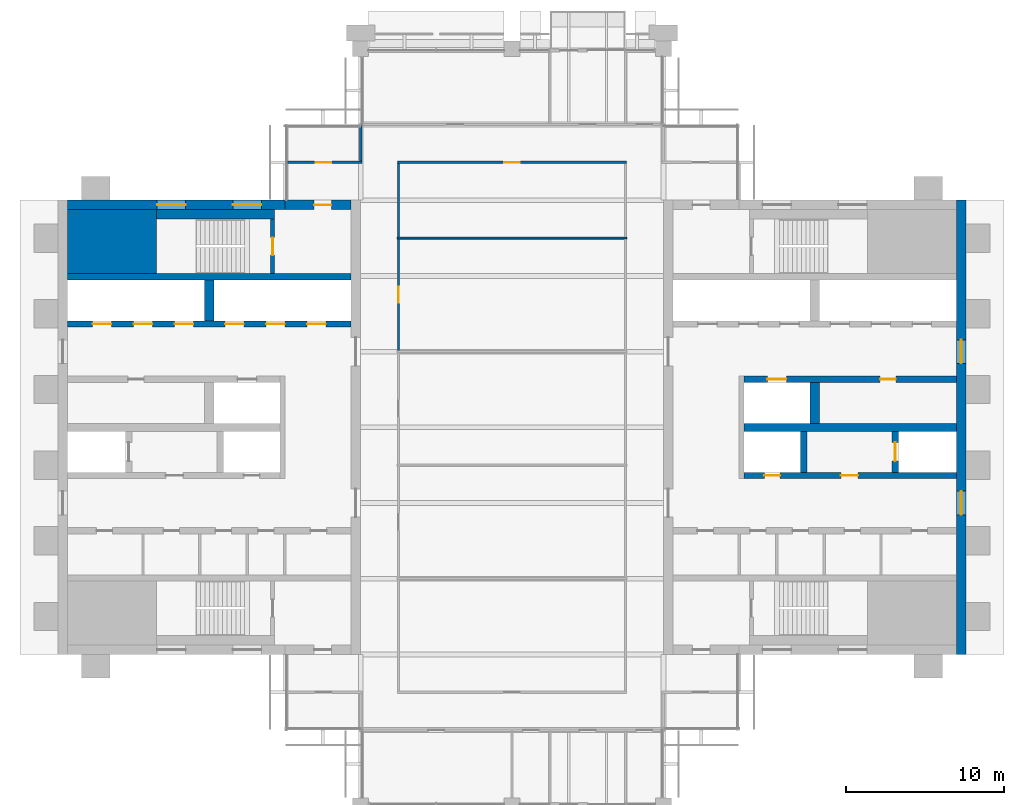
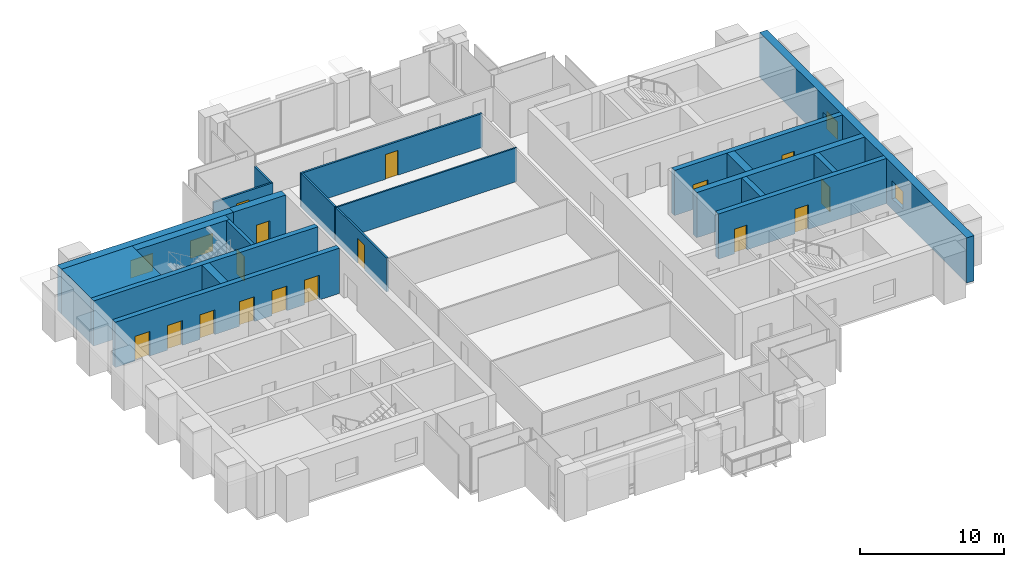
# One storey, part 10 of 13: 21 walls, 16 doors, 4 windows, 20 openings.
"""IFC4 building model written with IfcOpenShell, lengths in metres."""

from ifc_helpers import new_model, si_unit, direction, frame, frame_2d, origin, place, context, subcontext, project, spatial, rectangle, extrude, material, layer, layer_set, type_object, element, fill, save


model = new_model("IFC4")

# Units and contexts
model_context = context("Model", 3, precision=1e-05, world=origin(), true_north=direction((0.0, 1.0)))
body_context = subcontext(model_context, "Body", "Model", "MODEL_VIEW")
ifc_project = project(units=[si_unit("LENGTHUNIT", "METRE"), si_unit("AREAUNIT", "SQUARE_METRE"), si_unit("VOLUMEUNIT", "CUBIC_METRE"), si_unit("PLANEANGLEUNIT", "RADIAN"), si_unit("MASSUNIT", "GRAM", prefix="KILO")], contexts=[model_context])

# Site, building, storey
site_placement = place(None, origin())
site = spatial("IfcSite", under=ifc_project, at=site_placement, CompositionType="ELEMENT")
building_placement = place(site_placement, origin())
building = spatial("IfcBuilding", under=site, at=building_placement, Name="Baori Bourse Tower", CompositionType="ELEMENT")
storey_placement = place(building_placement, frame((0.0, 0.0, 326.300048828125)))
storey = spatial("IfcBuildingStorey", under=building, at=storey_placement, Name="L72", CompositionType="ELEMENT", Elevation=326.300048828125)

# Wall
ifc_material_1 = material(Name="Concrete f'c 40 MPa", Category="concrete")
wall_type_1 = type_object("IfcWallType", Name="Core corner block f'c 40", PredefinedType="SHEAR", material=ifc_material_1)
wall_1_placement = place(storey_placement, frame((0.60009765625, 35.77490234375, 0.0), z_axis=(0.0, 0.0, 1.0), x_axis=(1.0, 0.0, 0.0)))
element("IfcWall", 1, at=wall_1_placement, inside=storey, type_object=wall_type_1, Name="Core wall W24", PredefinedType="SHEAR", context=body_context, shape_type="SweptSolid", body=[
    extrude(rectangle(XDim=5.64990234375, YDim=4.050048828125, at=frame_2d((2.824951171875, 0.0))), origin(), (0.0, 0.0, 1.0), 3.83984375),
])

# Wall, openings, windows
ifc_material_2 = material(Name="Concrete f'c 40 MPa", Category="concrete")
ifc_layer_1 = layer(ifc_material_2, 0.60009765625)
ifc_layer_set_1 = layer_set([ifc_layer_1], Name="Core wall 600 f'c 40")
wall_type_2 = type_object("IfcWallType", Name="Core wall 600 f'c 40", PredefinedType="SHEAR", material=ifc_layer_set_1)
wall_2_placement = place(storey_placement, frame((0.60009765625, 38.10009765625, 0.0), z_axis=(0.0, 0.0, 1.0), x_axis=(1.0, 0.0, 0.0)))
wall_2 = element("IfcWall", 2, at=wall_2_placement, inside=storey, type_object=wall_type_2, Name="Core wall W27", PredefinedType="SHEAR", context=body_context, shape_type="SweptSolid", body=[
    extrude(rectangle(XDim=13.7998046875, YDim=0.60009765625, at=frame_2d((6.89990234375, 0.0))), origin(), (0.0, 0.0, 1.0), 3.83984375),
])
opening_1_placement = place(wall_2_placement, frame((5.699951171875, 0.0, 0.89990234375)))
opening_1 = element("IfcOpeningElement", 3, at=opening_1_placement, cuts=wall_2, Name="Opening L72-KW105", PredefinedType="OPENING", context=body_context, shape_type="SweptSolid", body=[
    extrude(rectangle(XDim=1.800048828125, YDim=1.5, at=frame_2d((0.89990234375, 0.75))), frame((0.0, 0.31005859375, 0.0), z_axis=(0.0, -1.0, 0.0), x_axis=(1.0, 0.0, 0.0)), (0.0, 0.0, 1.0), 0.6201171875),
])
opening_2_placement = place(wall_2_placement, frame((10.5, 0.0, 0.89990234375)))
opening_2 = element("IfcOpeningElement", 4, at=opening_2_placement, cuts=wall_2, Name="Opening L72-KW106", PredefinedType="OPENING", context=body_context, shape_type="SweptSolid", body=[
    extrude(rectangle(XDim=1.800048828125, YDim=1.5, at=frame_2d((0.89990234375, 0.75))), frame((0.0, 0.31005859375, 0.0), z_axis=(0.0, -1.0, 0.0), x_axis=(1.0, 0.0, 0.0)), (0.0, 0.0, 1.0), 0.6201171875),
])
ifc_material_3 = material(Name="Pale anodised aluminium", Category="aluminium")
window_type_1 = type_object("IfcWindowType", Name="Stair window 1800 x 1500", PartitioningType="SINGLE_PANEL", PredefinedType="WINDOW", material=ifc_material_3)
window_1_placement = place(opening_1_placement, origin())
window_1 = element("IfcWindow", 5, at=window_1_placement, inside=storey, type_object=window_type_1, Name="Stair window W L72 5", OverallHeight=1.5, OverallWidth=1.800048828125, PartitioningType="SINGLE_PANEL", PredefinedType="WINDOW", context=body_context, shape_type="SweptSolid", body=[
    extrude(rectangle(XDim=1.800048828125, YDim=1.5, at=frame_2d((0.89990234375, 0.75))), frame((0.0, 0.030029296875, 0.0), z_axis=(0.0, -1.0, 0.0), x_axis=(1.0, 0.0, 0.0)), (0.0, 0.0, 1.0), 0.06005859375),
])
fill(opening_1, window_1)
window_2_placement = place(opening_2_placement, origin())
window_2 = element("IfcWindow", 6, at=window_2_placement, inside=storey, type_object=window_type_1, Name="Stair window W L72 6", OverallHeight=1.5, OverallWidth=1.800048828125, PartitioningType="SINGLE_PANEL", PredefinedType="WINDOW", context=body_context, shape_type="SweptSolid", body=[
    extrude(rectangle(XDim=1.800048828125, YDim=1.5, at=frame_2d((0.89990234375, 0.75))), frame((0.0, 0.030029296875, 0.0), z_axis=(0.0, -1.0, 0.0), x_axis=(1.0, 0.0, 0.0)), (0.0, 0.0, 1.0), 0.06005859375),
])
fill(opening_2, window_2)

# Wall, opening, door
wall_3_placement = place(storey_placement, frame((14.39990234375, 38.10009765625, 0.0), z_axis=(0.0, 0.0, 1.0), x_axis=(1.0, 0.0, 0.0)))
wall_3 = element("IfcWall", 7, at=wall_3_placement, inside=storey, type_object=wall_type_2, Name="Core wall W28", PredefinedType="SHEAR", context=body_context, shape_type="SweptSolid", body=[
    extrude(rectangle(XDim=4.2001953125, YDim=0.60009765625, at=frame_2d((2.10009765625, 0.0))), origin(), (0.0, 0.0, 1.0), 3.83984375),
])
opening_3_placement = place(wall_3_placement, frame((1.85009765625, 0.0, 0.0)))
opening_3 = element("IfcOpeningElement", 8, at=opening_3_placement, cuts=wall_3, Name="Opening L72-D104", PredefinedType="OPENING", context=body_context, shape_type="SweptSolid", body=[
    extrude(rectangle(XDim=1.10009765625, YDim=2.10009765625, at=frame_2d((0.550048828125, 1.050048828125))), frame((0.0, 0.31005859375, 0.0), z_axis=(0.0, -1.0, 0.0), x_axis=(1.0, 0.0, 0.0)), (0.0, 0.0, 1.0), 0.6201171875),
])
ifc_material_4 = material(Name="Painted steel door", Category="steel")
door_type_1 = type_object("IfcDoorType", Name="Stair door 1100", OperationType="SINGLE_SWING_LEFT", PredefinedType="DOOR", material=ifc_material_4)
door_1_placement = place(opening_3_placement, origin())
door_1 = element("IfcDoor", 9, at=door_1_placement, inside=storey, type_object=door_type_1, Name="Stair vestibule door B W L72", OperationType="SINGLE_SWING_LEFT", OverallHeight=2.10009765625, OverallWidth=1.10009765625, PredefinedType="DOOR", context=body_context, shape_type="SweptSolid", body=[
    extrude(rectangle(XDim=1.10009765625, YDim=2.10009765625, at=frame_2d((0.550048828125, 1.050048828125))), frame((0.0, 0.02490234375, 0.0), z_axis=(0.0, -1.0, 0.0), x_axis=(1.0, 0.0, 0.0)), (0.0, 0.0, 1.0), 0.050048828125),
])
fill(opening_3, door_1)

# Wall, openings, windows
wall_4_placement = place(storey_placement, frame((57.300048828125, 38.39990234375, 0.0), z_axis=(0.0, 0.0, 1.0), x_axis=(0.0, -1.0, 0.0)))
wall_4 = element("IfcWall", 10, at=wall_4_placement, inside=storey, type_object=wall_type_2, Name="Core wall E01", PredefinedType="SHEAR", context=body_context, shape_type="SweptSolid", body=[
    extrude(rectangle(XDim=28.7998046875, YDim=0.60009765625, at=frame_2d((14.39990234375, 0.0))), origin(), (0.0, 0.0, 1.0), 3.83984375),
])
opening_4_placement = place(wall_4_placement, frame((18.449951171875, 0.0, 0.89990234375)))
opening_4 = element("IfcOpeningElement", 11, at=opening_4_placement, cuts=wall_4, Name="Opening L72-KW201", PredefinedType="OPENING", context=body_context, shape_type="SweptSolid", body=[
    extrude(rectangle(XDim=1.5, YDim=1.5, at=frame_2d((0.75, 0.75))), frame((0.0, 0.31005859375, 0.0), z_axis=(0.0, -1.0, 0.0), x_axis=(1.0, 0.0, 0.0)), (0.0, 0.0, 1.0), 0.6201171875),
])
opening_5_placement = place(wall_4_placement, frame((8.85009765625, 0.0, 0.89990234375)))
opening_5 = element("IfcOpeningElement", 12, at=opening_5_placement, cuts=wall_4, Name="Opening L72-KW202", PredefinedType="OPENING", context=body_context, shape_type="SweptSolid", body=[
    extrude(rectangle(XDim=1.5, YDim=1.5, at=frame_2d((0.75, 0.75))), frame((0.0, 0.31005859375, 0.0), z_axis=(0.0, -1.0, 0.0), x_axis=(1.0, 0.0, 0.0)), (0.0, 0.0, 1.0), 0.6201171875),
])
ifc_material_5 = material(Name="Pale anodised aluminium", Category="aluminium")
window_type_2 = type_object("IfcWindowType", Name="Lobby window 1500 x 1500", PartitioningType="SINGLE_PANEL", PredefinedType="WINDOW", material=ifc_material_5)
window_3_placement = place(opening_4_placement, origin())
window_3 = element("IfcWindow", 13, at=window_3_placement, inside=storey, type_object=window_type_2, Name="Outer wall window E L72 1", OverallHeight=1.5, OverallWidth=1.5, PartitioningType="SINGLE_PANEL", PredefinedType="WINDOW", context=body_context, shape_type="SweptSolid", body=[
    extrude(rectangle(XDim=1.5, YDim=1.5, at=frame_2d((0.75, 0.75))), frame((0.0, 0.030029296875, 0.0), z_axis=(0.0, -1.0, 0.0), x_axis=(1.0, 0.0, 0.0)), (0.0, 0.0, 1.0), 0.06005859375),
])
fill(opening_4, window_3)
window_4_placement = place(opening_5_placement, origin())
window_4 = element("IfcWindow", 14, at=window_4_placement, inside=storey, type_object=window_type_2, Name="Outer wall window E L72 2", OverallHeight=1.5, OverallWidth=1.5, PartitioningType="SINGLE_PANEL", PredefinedType="WINDOW", context=body_context, shape_type="SweptSolid", body=[
    extrude(rectangle(XDim=1.5, YDim=1.5, at=frame_2d((0.75, 0.75))), frame((0.0, 0.030029296875, 0.0), z_axis=(0.0, -1.0, 0.0), x_axis=(1.0, 0.0, 0.0)), (0.0, 0.0, 1.0), 0.06005859375),
])
fill(opening_5, window_4)

# Wall, opening, door
ifc_material_6 = material(Name="Gypsum board partition")
ifc_layer_2 = layer(ifc_material_6, 0.14990234375)
ifc_layer_set_2 = layer_set([ifc_layer_2], Name="Corridor partition 150")
wall_type_3 = type_object("IfcWallType", Name="Corridor partition 150", PredefinedType="PARTITIONING", material=ifc_layer_set_2)
wall_5_placement = place(storey_placement, frame((14.5, 40.800048828125, 0.0), z_axis=(0.0, 0.0, 1.0), x_axis=(1.0, 0.0, 0.0)))
wall_5 = element("IfcWall", 15, at=wall_5_placement, inside=storey, type_object=wall_type_3, Name="Partition", PredefinedType="PARTITIONING", context=body_context, shape_type="SweptSolid", body=[
    extrude(rectangle(XDim=4.77490234375, YDim=0.14990234375, at=frame_2d((2.387451171875, 0.0))), origin(), (0.0, 0.0, 1.0), 2.86962890625),
])
opening_6_placement = place(wall_5_placement, frame((1.85009765625, 0.0, 0.0)))
opening_6 = element("IfcOpeningElement", 16, at=opening_6_placement, cuts=wall_5, Name="Opening L72-D08", PredefinedType="OPENING", context=body_context, shape_type="SweptSolid", body=[
    extrude(rectangle(XDim=1.0, YDim=2.10009765625, at=frame_2d((0.5, 1.050048828125))), frame((0.0, 0.0849609375, 0.0), z_axis=(0.0, -1.0, 0.0), x_axis=(1.0, 0.0, 0.0)), (0.0, 0.0, 1.0), 0.169921875),
])
ifc_material_7 = material(Name="Timber door leaf", Category="wood")
door_type_2 = type_object("IfcDoorType", Name="Door 1000 x 2100", OperationType="SINGLE_SWING_LEFT", PredefinedType="DOOR", material=ifc_material_7)
door_2_placement = place(opening_6_placement, origin())
door_2 = element("IfcDoor", 17, at=door_2_placement, inside=storey, type_object=door_type_2, Name="Door", OperationType="SINGLE_SWING_RIGHT", OverallHeight=2.10009765625, OverallWidth=1.0, PredefinedType="DOOR", context=body_context, shape_type="SweptSolid", body=[
    extrude(rectangle(XDim=1.0, YDim=2.10009765625, at=frame_2d((0.5, 1.050048828125))), frame((0.0, 0.02490234375, 0.0), z_axis=(0.0, -1.0, 0.0), x_axis=(1.0, 0.0, 0.0)), (0.0, 0.0, 1.0), 0.050048828125),
])
fill(opening_6, door_2)

wall_6_placement = place(storey_placement, frame((21.52490234375, 40.800048828125, 0.0), z_axis=(0.0, 0.0, 1.0), x_axis=(1.0, 0.0, 0.0)))
wall_6 = element("IfcWall", 18, at=wall_6_placement, inside=storey, type_object=wall_type_3, Name="Partition", PredefinedType="PARTITIONING", context=body_context, shape_type="SweptSolid", body=[
    extrude(rectangle(XDim=14.550048828125, YDim=0.14990234375, at=frame_2d((7.27490234375, 0.0))), origin(), (0.0, 0.0, 1.0), 2.86962890625),
])
opening_7_placement = place(wall_6_placement, frame((6.77490234375, 0.0, 0.0)))
opening_7 = element("IfcOpeningElement", 19, at=opening_7_placement, cuts=wall_6, Name="Opening L72-D09", PredefinedType="OPENING", context=body_context, shape_type="SweptSolid", body=[
    extrude(rectangle(XDim=1.0, YDim=2.10009765625, at=frame_2d((0.5, 1.050048828125))), frame((0.0, 0.0849609375, 0.0), z_axis=(0.0, -1.0, 0.0), x_axis=(1.0, 0.0, 0.0)), (0.0, 0.0, 1.0), 0.169921875),
])
door_3_placement = place(opening_7_placement, origin())
door_3 = element("IfcDoor", 20, at=door_3_placement, inside=storey, type_object=door_type_2, Name="Door", OperationType="SINGLE_SWING_LEFT", OverallHeight=2.10009765625, OverallWidth=1.0, PredefinedType="DOOR", context=body_context, shape_type="SweptSolid", body=[
    extrude(rectangle(XDim=1.0, YDim=2.10009765625, at=frame_2d((0.5, 1.050048828125))), frame((0.0, 0.02490234375, 0.0), z_axis=(0.0, -1.0, 0.0), x_axis=(1.0, 0.0, 0.0)), (0.0, 0.0, 1.0), 0.050048828125),
])
fill(opening_7, door_3)

# Wall
wall_7_placement = place(storey_placement, frame((19.199951171875, 40.875, 0.0), z_axis=(0.0, 0.0, 1.0), x_axis=(0.0, 1.0, 0.0)))
element("IfcWall", 21, at=wall_7_placement, inside=storey, type_object=wall_type_3, Name="Partition", PredefinedType="PARTITIONING", context=body_context, shape_type="SweptSolid", body=[
    extrude(rectangle(XDim=2.25, YDim=0.14990234375, at=frame_2d((1.125, 0.0))), origin(), (0.0, 0.0, 1.0), 2.86962890625),
])

# Wall, opening, door
wall_8_placement = place(storey_placement, frame((21.60009765625, 28.862548828125, 0.0), z_axis=(0.0, 0.0, 1.0), x_axis=(0.0, 1.0, 0.0)))
wall_8 = element("IfcWall", 22, at=wall_8_placement, inside=storey, type_object=wall_type_3, Name="Partition", PredefinedType="PARTITIONING", context=body_context, shape_type="SweptSolid", body=[
    extrude(rectangle(XDim=7.074951171875, YDim=0.14990234375, at=frame_2d((3.53759765625, 0.0))), origin(), (0.0, 0.0, 1.0), 2.86962890625),
])
opening_8_placement = place(wall_8_placement, frame((3.03759765625, 0.0, 0.0)))
opening_8 = element("IfcOpeningElement", 23, at=opening_8_placement, cuts=wall_8, Name="Opening L72-D16", PredefinedType="OPENING", context=body_context, shape_type="SweptSolid", body=[
    extrude(rectangle(XDim=1.0, YDim=2.10009765625, at=frame_2d((0.5, 1.050048828125))), frame((0.0, 0.0849609375, 0.0), z_axis=(0.0, -1.0, 0.0), x_axis=(1.0, 0.0, 0.0)), (0.0, 0.0, 1.0), 0.169921875),
])
door_4_placement = place(opening_8_placement, origin())
door_4 = element("IfcDoor", 24, at=door_4_placement, inside=storey, type_object=door_type_2, Name="Door", OperationType="SINGLE_SWING_LEFT", OverallHeight=2.10009765625, OverallWidth=1.0, PredefinedType="DOOR", context=body_context, shape_type="SweptSolid", body=[
    extrude(rectangle(XDim=1.0, YDim=2.10009765625, at=frame_2d((0.5, 1.050048828125))), frame((0.0, 0.02490234375, 0.0), z_axis=(0.0, -1.0, 0.0), x_axis=(1.0, 0.0, 0.0)), (0.0, 0.0, 1.0), 0.050048828125),
])
fill(opening_8, door_4)

# Walls
wall_9_placement = place(storey_placement, frame((21.60009765625, 36.0625, 0.0), z_axis=(0.0, 0.0, 1.0), x_axis=(0.0, 1.0, 0.0)))
element("IfcWall", 25, at=wall_9_placement, inside=storey, type_object=wall_type_3, Name="Partition", PredefinedType="PARTITIONING", context=body_context, shape_type="SweptSolid", body=[
    extrude(rectangle(XDim=4.66259765625, YDim=0.14990234375, at=frame_2d((2.331298828125, 0.0))), origin(), (0.0, 0.0, 1.0), 2.86962890625),
])
ifc_material_8 = material(Name="Gypsum board partition")
ifc_layer_3 = layer(ifc_material_8, 0.125)
ifc_layer_set_3 = layer_set([ifc_layer_3], Name="Partition 125")
wall_type_4 = type_object("IfcWallType", Name="Partition 125", PredefinedType="PARTITIONING", material=ifc_layer_set_3)
wall_10_placement = place(storey_placement, frame((21.52490234375, 36.0, 0.0), z_axis=(0.0, 0.0, 1.0), x_axis=(1.0, 0.0, 0.0)))
element("IfcWall", 26, at=wall_10_placement, inside=storey, type_object=wall_type_4, Name="Partition", PredefinedType="PARTITIONING", context=body_context, shape_type="SweptSolid", body=[
    extrude(rectangle(XDim=14.550048828125, YDim=0.125, at=frame_2d((7.27490234375, 0.0))), origin(), (0.0, 0.0, 1.0), 2.86962890625),
])

# Wall, opening, door
ifc_material_9 = material(Name="Concrete f'c 40 MPa", Category="concrete")
ifc_layer_4 = layer(ifc_material_9, 0.25)
ifc_layer_set_4 = layer_set([ifc_layer_4], Name="Shaft wall 250 f'c 40")
wall_type_5 = type_object("IfcWallType", Name="Shaft wall 250 f'c 40", PredefinedType="SHEAR", material=ifc_layer_set_4)
wall_11_placement = place(storey_placement, frame((13.625, 33.75, 0.0), z_axis=(0.0, 0.0, 1.0), x_axis=(0.0, 1.0, 0.0)))
wall_11 = element("IfcWall", 27, at=wall_11_placement, inside=storey, type_object=wall_type_5, Name="Core wall W25", PredefinedType="SHEAR", context=body_context, shape_type="SweptSolid", body=[
    extrude(rectangle(XDim=3.449951171875, YDim=0.25, at=frame_2d((1.72509765625, 0.0))), origin(), (0.0, 0.0, 1.0), 3.83984375),
])
opening_9_placement = place(wall_11_placement, frame((1.175048828125, 0.0, 0.0)))
opening_9 = element("IfcOpeningElement", 28, at=opening_9_placement, cuts=wall_11, Name="Opening L72-D103", PredefinedType="OPENING", context=body_context, shape_type="SweptSolid", body=[
    extrude(rectangle(XDim=1.10009765625, YDim=2.10009765625, at=frame_2d((0.550048828125, 1.050048828125))), frame((0.0, 0.135009765625, 0.0), z_axis=(0.0, -1.0, 0.0), x_axis=(1.0, 0.0, 0.0)), (0.0, 0.0, 1.0), 0.27001953125),
])
door_5_placement = place(opening_9_placement, origin())
door_5 = element("IfcDoor", 29, at=door_5_placement, inside=storey, type_object=door_type_1, Name="Stair door B W L72", OperationType="SINGLE_SWING_LEFT", OverallHeight=2.10009765625, OverallWidth=1.10009765625, PredefinedType="DOOR", context=body_context, shape_type="SweptSolid", body=[
    extrude(rectangle(XDim=1.10009765625, YDim=2.10009765625, at=frame_2d((0.550048828125, 1.050048828125))), frame((0.0, 0.02490234375, 0.0), z_axis=(0.0, -1.0, 0.0), x_axis=(1.0, 0.0, 0.0)), (0.0, 0.0, 1.0), 0.050048828125),
])
fill(opening_9, door_5)

# Wall, openings, doors
ifc_material_10 = material(Name="Concrete f'c 40 MPa", Category="concrete")
ifc_layer_5 = layer(ifc_material_10, 0.39990234375)
ifc_layer_set_5 = layer_set([ifc_layer_5], Name="Shaft wall 400 f'c 40")
wall_type_6 = type_object("IfcWallType", Name="Shaft wall 400 f'c 40", PredefinedType="SHEAR", material=ifc_layer_set_5)
wall_12_placement = place(storey_placement, frame((0.60009765625, 30.550048828125, 0.0), z_axis=(0.0, 0.0, 1.0), x_axis=(1.0, 0.0, 0.0)))
wall_12 = element("IfcWall", 30, at=wall_12_placement, inside=storey, type_object=wall_type_6, Name="Core wall W21", PredefinedType="SHEAR", context=body_context, shape_type="SweptSolid", body=[
    extrude(rectangle(XDim=18.0, YDim=0.39990234375, at=frame_2d((9.0, 0.0))), origin(), (0.0, 0.0, 1.0), 3.83984375),
])
opening_10_placement = place(wall_12_placement, frame((1.60009765625, 0.0, 0.0)))
opening_10 = element("IfcOpeningElement", 31, at=opening_10_placement, cuts=wall_12, Name="Opening L72-D115", PredefinedType="OPENING", context=body_context, shape_type="SweptSolid", body=[
    extrude(rectangle(XDim=1.199951171875, YDim=2.10009765625, at=frame_2d((0.60009765625, 1.050048828125))), frame((0.0, 0.2099609375, 0.0), z_axis=(0.0, -1.0, 0.0), x_axis=(1.0, 0.0, 0.0)), (0.0, 0.0, 1.0), 0.419921875),
])
opening_11_placement = place(wall_12_placement, frame((4.199951171875, 0.0, 0.0)))
opening_11 = element("IfcOpeningElement", 32, at=opening_11_placement, cuts=wall_12, Name="Opening L72-D116", PredefinedType="OPENING", context=body_context, shape_type="SweptSolid", body=[
    extrude(rectangle(XDim=1.199951171875, YDim=2.10009765625, at=frame_2d((0.60009765625, 1.050048828125))), frame((0.0, 0.2099609375, 0.0), z_axis=(0.0, -1.0, 0.0), x_axis=(1.0, 0.0, 0.0)), (0.0, 0.0, 1.0), 0.419921875),
])
opening_12_placement = place(wall_12_placement, frame((6.800048828125, 0.0, 0.0)))
opening_12 = element("IfcOpeningElement", 33, at=opening_12_placement, cuts=wall_12, Name="Opening L72-D117", PredefinedType="OPENING", context=body_context, shape_type="SweptSolid", body=[
    extrude(rectangle(XDim=1.199951171875, YDim=2.10009765625, at=frame_2d((0.60009765625, 1.050048828125))), frame((0.0, 0.2099609375, 0.0), z_axis=(0.0, -1.0, 0.0), x_axis=(1.0, 0.0, 0.0)), (0.0, 0.0, 1.0), 0.419921875),
])
opening_13_placement = place(wall_12_placement, frame((10.0, 0.0, 0.0)))
opening_13 = element("IfcOpeningElement", 34, at=opening_13_placement, cuts=wall_12, Name="Opening L72-D118", PredefinedType="OPENING", context=body_context, shape_type="SweptSolid", body=[
    extrude(rectangle(XDim=1.199951171875, YDim=2.10009765625, at=frame_2d((0.60009765625, 1.050048828125))), frame((0.0, 0.2099609375, 0.0), z_axis=(0.0, -1.0, 0.0), x_axis=(1.0, 0.0, 0.0)), (0.0, 0.0, 1.0), 0.419921875),
])
opening_14_placement = place(wall_12_placement, frame((12.60009765625, 0.0, 0.0)))
opening_14 = element("IfcOpeningElement", 35, at=opening_14_placement, cuts=wall_12, Name="Opening L72-D119", PredefinedType="OPENING", context=body_context, shape_type="SweptSolid", body=[
    extrude(rectangle(XDim=1.199951171875, YDim=2.10009765625, at=frame_2d((0.60009765625, 1.050048828125))), frame((0.0, 0.2099609375, 0.0), z_axis=(0.0, -1.0, 0.0), x_axis=(1.0, 0.0, 0.0)), (0.0, 0.0, 1.0), 0.419921875),
])
opening_15_placement = place(wall_12_placement, frame((15.199951171875, 0.0, 0.0)))
opening_15 = element("IfcOpeningElement", 36, at=opening_15_placement, cuts=wall_12, Name="Opening L72-D120", PredefinedType="OPENING", context=body_context, shape_type="SweptSolid", body=[
    extrude(rectangle(XDim=1.199951171875, YDim=2.10009765625, at=frame_2d((0.60009765625, 1.050048828125))), frame((0.0, 0.2099609375, 0.0), z_axis=(0.0, -1.0, 0.0), x_axis=(1.0, 0.0, 0.0)), (0.0, 0.0, 1.0), 0.419921875),
])
ifc_material_11 = material(Name="Stainless steel door", Category="steel")
door_type_3 = type_object("IfcDoorType", Name="Lift landing door", OperationType="DOUBLE_DOOR_SLIDING", PredefinedType="DOOR", material=ifc_material_11)
door_6_placement = place(opening_10_placement, origin())
door_6 = element("IfcDoor", 37, at=door_6_placement, inside=storey, type_object=door_type_3, Name="Lift landing door HR1 W L72", OperationType="DOUBLE_DOOR_SLIDING", OverallHeight=2.10009765625, OverallWidth=1.199951171875, PredefinedType="DOOR", context=body_context, shape_type="SweptSolid", body=[
    extrude(rectangle(XDim=1.199951171875, YDim=2.10009765625, at=frame_2d((0.60009765625, 1.050048828125))), frame((0.0, 0.02490234375, 0.0), z_axis=(0.0, -1.0, 0.0), x_axis=(1.0, 0.0, 0.0)), (0.0, 0.0, 1.0), 0.050048828125),
])
fill(opening_10, door_6)
door_7_placement = place(opening_11_placement, origin())
door_7 = element("IfcDoor", 38, at=door_7_placement, inside=storey, type_object=door_type_3, Name="Lift landing door HR2 W L72", OperationType="DOUBLE_DOOR_SLIDING", OverallHeight=2.10009765625, OverallWidth=1.199951171875, PredefinedType="DOOR", context=body_context, shape_type="SweptSolid", body=[
    extrude(rectangle(XDim=1.199951171875, YDim=2.10009765625, at=frame_2d((0.60009765625, 1.050048828125))), frame((0.0, 0.02490234375, 0.0), z_axis=(0.0, -1.0, 0.0), x_axis=(1.0, 0.0, 0.0)), (0.0, 0.0, 1.0), 0.050048828125),
])
fill(opening_11, door_7)
door_8_placement = place(opening_12_placement, origin())
door_8 = element("IfcDoor", 39, at=door_8_placement, inside=storey, type_object=door_type_3, Name="Lift landing door HR3 W L72", OperationType="DOUBLE_DOOR_SLIDING", OverallHeight=2.10009765625, OverallWidth=1.199951171875, PredefinedType="DOOR", context=body_context, shape_type="SweptSolid", body=[
    extrude(rectangle(XDim=1.199951171875, YDim=2.10009765625, at=frame_2d((0.60009765625, 1.050048828125))), frame((0.0, 0.02490234375, 0.0), z_axis=(0.0, -1.0, 0.0), x_axis=(1.0, 0.0, 0.0)), (0.0, 0.0, 1.0), 0.050048828125),
])
fill(opening_12, door_8)
door_9_placement = place(opening_13_placement, origin())
door_9 = element("IfcDoor", 40, at=door_9_placement, inside=storey, type_object=door_type_3, Name="Lift landing door HR4 W L72", OperationType="DOUBLE_DOOR_SLIDING", OverallHeight=2.10009765625, OverallWidth=1.199951171875, PredefinedType="DOOR", context=body_context, shape_type="SweptSolid", body=[
    extrude(rectangle(XDim=1.199951171875, YDim=2.10009765625, at=frame_2d((0.60009765625, 1.050048828125))), frame((0.0, 0.02490234375, 0.0), z_axis=(0.0, -1.0, 0.0), x_axis=(1.0, 0.0, 0.0)), (0.0, 0.0, 1.0), 0.050048828125),
])
fill(opening_13, door_9)
door_10_placement = place(opening_14_placement, origin())
door_10 = element("IfcDoor", 41, at=door_10_placement, inside=storey, type_object=door_type_3, Name="Lift landing door HR5 W L72", OperationType="DOUBLE_DOOR_SLIDING", OverallHeight=2.10009765625, OverallWidth=1.199951171875, PredefinedType="DOOR", context=body_context, shape_type="SweptSolid", body=[
    extrude(rectangle(XDim=1.199951171875, YDim=2.10009765625, at=frame_2d((0.60009765625, 1.050048828125))), frame((0.0, 0.02490234375, 0.0), z_axis=(0.0, -1.0, 0.0), x_axis=(1.0, 0.0, 0.0)), (0.0, 0.0, 1.0), 0.050048828125),
])
fill(opening_14, door_10)
door_11_placement = place(opening_15_placement, origin())
door_11 = element("IfcDoor", 42, at=door_11_placement, inside=storey, type_object=door_type_3, Name="Lift landing door HR6 W L72", OperationType="DOUBLE_DOOR_SLIDING", OverallHeight=2.10009765625, OverallWidth=1.199951171875, PredefinedType="DOOR", context=body_context, shape_type="SweptSolid", body=[
    extrude(rectangle(XDim=1.199951171875, YDim=2.10009765625, at=frame_2d((0.60009765625, 1.050048828125))), frame((0.0, 0.02490234375, 0.0), z_axis=(0.0, -1.0, 0.0), x_axis=(1.0, 0.0, 0.0)), (0.0, 0.0, 1.0), 0.050048828125),
])
fill(opening_15, door_11)

# Wall
wall_13_placement = place(storey_placement, frame((0.60009765625, 33.550048828125, 0.0), z_axis=(0.0, 0.0, 1.0), x_axis=(1.0, 0.0, 0.0)))
element("IfcWall", 43, at=wall_13_placement, inside=storey, type_object=wall_type_6, Name="Core wall W23", PredefinedType="SHEAR", context=body_context, shape_type="SweptSolid", body=[
    extrude(rectangle(XDim=18.0, YDim=0.39990234375, at=frame_2d((9.0, 0.0))), origin(), (0.0, 0.0, 1.0), 3.83984375),
])

# Wall, openings, doors
wall_14_placement = place(storey_placement, frame((43.5, 20.949951171875, 0.0), z_axis=(0.0, 0.0, 1.0), x_axis=(1.0, 0.0, 0.0)))
wall_14 = element("IfcWall", 44, at=wall_14_placement, inside=storey, type_object=wall_type_6, Name="Core wall E14", PredefinedType="SHEAR", context=body_context, shape_type="SweptSolid", body=[
    extrude(rectangle(XDim=13.5, YDim=0.39990234375, at=frame_2d((6.75, 0.0))), origin(), (0.0, 0.0, 1.0), 3.83984375),
])
opening_16_placement = place(wall_14_placement, frame((6.14990234375, 0.0, 0.0)))
opening_16 = element("IfcOpeningElement", 45, at=opening_16_placement, cuts=wall_14, Name="Opening L72-D205", PredefinedType="OPENING", context=body_context, shape_type="SweptSolid", body=[
    extrude(rectangle(XDim=1.10009765625, YDim=2.10009765625, at=frame_2d((0.550048828125, 1.050048828125))), frame((0.0, 0.2099609375, 0.0), z_axis=(0.0, -1.0, 0.0), x_axis=(1.0, 0.0, 0.0)), (0.0, 0.0, 1.0), 0.419921875),
])
opening_17_placement = place(wall_14_placement, frame((1.300048828125, 0.0, 0.0)))
opening_17 = element("IfcOpeningElement", 46, at=opening_17_placement, cuts=wall_14, Name="Opening L72-D206", PredefinedType="OPENING", context=body_context, shape_type="SweptSolid", body=[
    extrude(rectangle(XDim=1.0, YDim=2.10009765625, at=frame_2d((0.5, 1.050048828125))), frame((0.0, 0.2099609375, 0.0), z_axis=(0.0, -1.0, 0.0), x_axis=(1.0, 0.0, 0.0)), (0.0, 0.0, 1.0), 0.419921875),
])
ifc_material_12 = material(Name="Painted steel door", Category="steel")
door_type_4 = type_object("IfcDoorType", Name="Lobby door 1100", OperationType="SINGLE_SWING_LEFT", PredefinedType="DOOR", material=ifc_material_12)
door_12_placement = place(opening_16_placement, origin())
door_12 = element("IfcDoor", 47, at=door_12_placement, inside=storey, type_object=door_type_4, Name="Firefighting lobby door E L72", OperationType="SINGLE_SWING_LEFT", OverallHeight=2.10009765625, OverallWidth=1.10009765625, PredefinedType="DOOR", context=body_context, shape_type="SweptSolid", body=[
    extrude(rectangle(XDim=1.10009765625, YDim=2.10009765625, at=frame_2d((0.550048828125, 1.050048828125))), frame((0.0, 0.02490234375, 0.0), z_axis=(0.0, -1.0, 0.0), x_axis=(1.0, 0.0, 0.0)), (0.0, 0.0, 1.0), 0.050048828125),
])
fill(opening_16, door_12)
ifc_material_13 = material(Name="Painted steel door", Category="steel")
door_type_5 = type_object("IfcDoorType", Name="Shaft door 1000", OperationType="SINGLE_SWING_LEFT", PredefinedType="DOOR", material=ifc_material_13)
door_13_placement = place(opening_17_placement, origin())
door_13 = element("IfcDoor", 48, at=door_13_placement, inside=storey, type_object=door_type_5, Name="Riser room door E L72", OperationType="SINGLE_SWING_LEFT", OverallHeight=2.10009765625, OverallWidth=1.0, PredefinedType="DOOR", context=body_context, shape_type="SweptSolid", body=[
    extrude(rectangle(XDim=1.0, YDim=2.10009765625, at=frame_2d((0.5, 1.050048828125))), frame((0.0, 0.02490234375, 0.0), z_axis=(0.0, -1.0, 0.0), x_axis=(1.0, 0.0, 0.0)), (0.0, 0.0, 1.0), 0.050048828125),
])
fill(opening_17, door_13)

# Wall, opening, door
wall_15_placement = place(storey_placement, frame((53.10009765625, 21.14990234375, 0.0), z_axis=(0.0, 0.0, 1.0), x_axis=(0.0, 1.0, 0.0)))
wall_15 = element("IfcWall", 49, at=wall_15_placement, inside=storey, type_object=wall_type_6, Name="Core wall E16", PredefinedType="SHEAR", context=body_context, shape_type="SweptSolid", body=[
    extrude(rectangle(XDim=2.60009765625, YDim=0.39990234375, at=frame_2d((1.300048828125, 0.0))), origin(), (0.0, 0.0, 1.0), 3.83984375),
])
opening_18_placement = place(wall_15_placement, frame((0.699951171875, 0.0, 0.0)))
opening_18 = element("IfcOpeningElement", 50, at=opening_18_placement, cuts=wall_15, Name="Opening L72-D222", PredefinedType="OPENING", context=body_context, shape_type="SweptSolid", body=[
    extrude(rectangle(XDim=1.199951171875, YDim=2.10009765625, at=frame_2d((0.60009765625, 1.050048828125))), frame((0.0, 0.2099609375, 0.0), z_axis=(0.0, -1.0, 0.0), x_axis=(1.0, 0.0, 0.0)), (0.0, 0.0, 1.0), 0.419921875),
])
door_14_placement = place(opening_18_placement, origin())
door_14 = element("IfcDoor", 51, at=door_14_placement, inside=storey, type_object=door_type_3, Name="Lift landing door FF2 E L72", OperationType="DOUBLE_DOOR_SLIDING", OverallHeight=2.10009765625, OverallWidth=1.199951171875, PredefinedType="DOOR", context=body_context, shape_type="SweptSolid", body=[
    extrude(rectangle(XDim=1.199951171875, YDim=2.10009765625, at=frame_2d((0.60009765625, 1.050048828125))), frame((0.0, 0.02490234375, 0.0), z_axis=(0.0, -1.0, 0.0), x_axis=(1.0, 0.0, 0.0)), (0.0, 0.0, 1.0), 0.050048828125),
])
fill(opening_18, door_14)

# Wall
wall_16_placement = place(storey_placement, frame((47.300048828125, 21.14990234375, 0.0), z_axis=(0.0, 0.0, 1.0), x_axis=(0.0, 1.0, 0.0)))
element("IfcWall", 52, at=wall_16_placement, inside=storey, type_object=wall_type_6, Name="Core wall E17", PredefinedType="SHEAR", context=body_context, shape_type="SweptSolid", body=[
    extrude(rectangle(XDim=2.60009765625, YDim=0.39990234375, at=frame_2d((1.300048828125, 0.0))), origin(), (0.0, 0.0, 1.0), 3.83984375),
])

# Wall, openings, doors
wall_17_placement = place(storey_placement, frame((43.5, 27.050048828125, 0.0), z_axis=(0.0, 0.0, 1.0), x_axis=(1.0, 0.0, 0.0)))
wall_17 = element("IfcWall", 53, at=wall_17_placement, inside=storey, type_object=wall_type_6, Name="Core wall E20", PredefinedType="SHEAR", context=body_context, shape_type="SweptSolid", body=[
    extrude(rectangle(XDim=13.5, YDim=0.39990234375, at=frame_2d((6.75, 0.0))), origin(), (0.0, 0.0, 1.0), 3.83984375),
])
opening_19_placement = place(wall_17_placement, frame((8.64990234375, 0.0, 0.0)))
opening_19 = element("IfcOpeningElement", 54, at=opening_19_placement, cuts=wall_17, Name="Opening L72-D214", PredefinedType="OPENING", context=body_context, shape_type="SweptSolid", body=[
    extrude(rectangle(XDim=1.0, YDim=2.10009765625, at=frame_2d((0.5, 1.050048828125))), frame((0.0, 0.2099609375, 0.0), z_axis=(0.0, -1.0, 0.0), x_axis=(1.0, 0.0, 0.0)), (0.0, 0.0, 1.0), 0.419921875),
])
opening_20_placement = place(wall_17_placement, frame((1.5, 0.0, 0.0)))
opening_20 = element("IfcOpeningElement", 55, at=opening_20_placement, cuts=wall_17, Name="Opening L72-D221", PredefinedType="OPENING", context=body_context, shape_type="SweptSolid", body=[
    extrude(rectangle(XDim=1.199951171875, YDim=2.10009765625, at=frame_2d((0.60009765625, 1.050048828125))), frame((0.0, 0.2099609375, 0.0), z_axis=(0.0, -1.0, 0.0), x_axis=(1.0, 0.0, 0.0)), (0.0, 0.0, 1.0), 0.419921875),
])
ifc_material_14 = material(Name="Painted steel door", Category="steel")
door_type_6 = type_object("IfcDoorType", Name="Core door 1000", OperationType="SINGLE_SWING_LEFT", PredefinedType="DOOR", material=ifc_material_14)
door_15_placement = place(opening_19_placement, origin())
door_15 = element("IfcDoor", 56, at=door_15_placement, inside=storey, type_object=door_type_6, Name="Recycling Room door E L72", OperationType="SINGLE_SWING_LEFT", OverallHeight=2.10009765625, OverallWidth=1.0, PredefinedType="DOOR", context=body_context, shape_type="SweptSolid", body=[
    extrude(rectangle(XDim=1.0, YDim=2.10009765625, at=frame_2d((0.5, 1.050048828125))), frame((0.0, 0.02490234375, 0.0), z_axis=(0.0, -1.0, 0.0), x_axis=(1.0, 0.0, 0.0)), (0.0, 0.0, 1.0), 0.050048828125),
])
fill(opening_19, door_15)
door_16_placement = place(opening_20_placement, origin())
door_16 = element("IfcDoor", 57, at=door_16_placement, inside=storey, type_object=door_type_3, Name="Lift landing door SV1 E L72", OperationType="DOUBLE_DOOR_SLIDING", OverallHeight=2.10009765625, OverallWidth=1.199951171875, PredefinedType="DOOR", context=body_context, shape_type="SweptSolid", body=[
    extrude(rectangle(XDim=1.199951171875, YDim=2.10009765625, at=frame_2d((0.60009765625, 1.050048828125))), frame((0.0, 0.02490234375, 0.0), z_axis=(0.0, -1.0, 0.0), x_axis=(1.0, 0.0, 0.0)), (0.0, 0.0, 1.0), 0.050048828125),
])
fill(opening_20, door_16)

# Walls
ifc_material_15 = material(Name="Concrete f'c 40 MPa", Category="concrete")
ifc_layer_6 = layer(ifc_material_15, 0.5)
ifc_layer_set_6 = layer_set([ifc_layer_6], Name="Shaft wall 500 f'c 40")
wall_type_7 = type_object("IfcWallType", Name="Shaft wall 500 f'c 40", PredefinedType="SHEAR", material=ifc_layer_set_6)
wall_18_placement = place(storey_placement, frame((43.5, 24.0, 0.0), z_axis=(0.0, 0.0, 1.0), x_axis=(1.0, 0.0, 0.0)))
element("IfcWall", 58, at=wall_18_placement, inside=storey, type_object=wall_type_7, Name="Core wall E18", PredefinedType="SHEAR", context=body_context, shape_type="SweptSolid", body=[
    extrude(rectangle(XDim=13.5, YDim=0.5, at=frame_2d((6.75, 0.0))), origin(), (0.0, 0.0, 1.0), 3.83984375),
])
ifc_material_16 = material(Name="Concrete f'c 40 MPa", Category="concrete")
ifc_layer_7 = layer(ifc_material_16, 0.60009765625)
ifc_layer_set_7 = layer_set([ifc_layer_7], Name="Shaft wall 600 f'c 40")
wall_type_8 = type_object("IfcWallType", Name="Shaft wall 600 f'c 40", PredefinedType="SHEAR", material=ifc_layer_set_7)
wall_19_placement = place(storey_placement, frame((9.60009765625, 30.75, 0.0), z_axis=(0.0, 0.0, 1.0), x_axis=(0.0, 1.0, 0.0)))
element("IfcWall", 59, at=wall_19_placement, inside=storey, type_object=wall_type_8, Name="Core wall W22", PredefinedType="SHEAR", context=body_context, shape_type="SweptSolid", body=[
    extrude(rectangle(XDim=2.60009765625, YDim=0.60009765625, at=frame_2d((1.300048828125, 0.0))), origin(), (0.0, 0.0, 1.0), 3.83984375),
])
wall_20_placement = place(storey_placement, frame((6.25, 37.5, 0.0), z_axis=(0.0, 0.0, 1.0), x_axis=(1.0, 0.0, 0.0)))
element("IfcWall", 60, at=wall_20_placement, inside=storey, type_object=wall_type_8, Name="Core wall W26", PredefinedType="SHEAR", context=body_context, shape_type="SweptSolid", body=[
    extrude(rectangle(XDim=7.5, YDim=0.60009765625, at=frame_2d((3.75, 0.0))), origin(), (0.0, 0.0, 1.0), 3.83984375),
])
wall_21_placement = place(storey_placement, frame((48.0, 24.25, 0.0), z_axis=(0.0, 0.0, 1.0), x_axis=(0.0, 1.0, 0.0)))
element("IfcWall", 61, at=wall_21_placement, inside=storey, type_object=wall_type_8, Name="Core wall E19", PredefinedType="SHEAR", context=body_context, shape_type="SweptSolid", body=[
    extrude(rectangle(XDim=2.60009765625, YDim=0.60009765625, at=frame_2d((1.300048828125, 0.0))), origin(), (0.0, 0.0, 1.0), 3.83984375),
])

save(model, "model.ifc")
